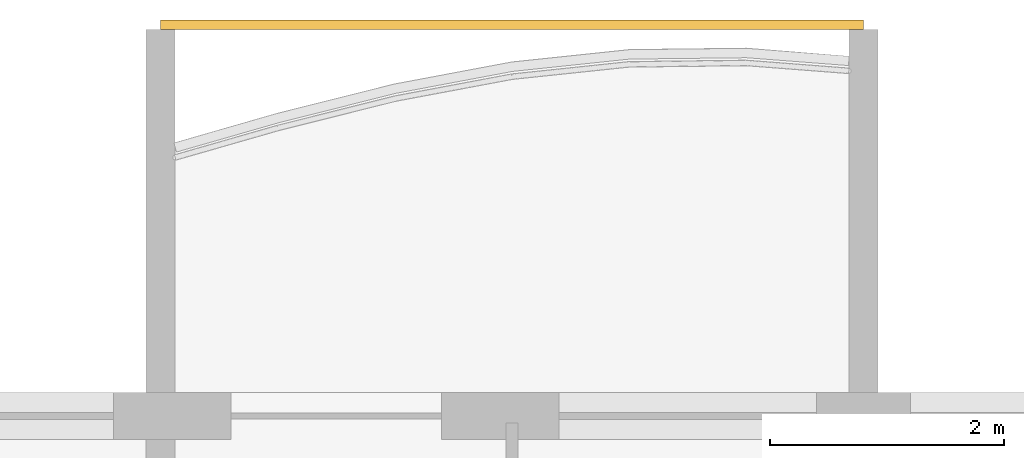
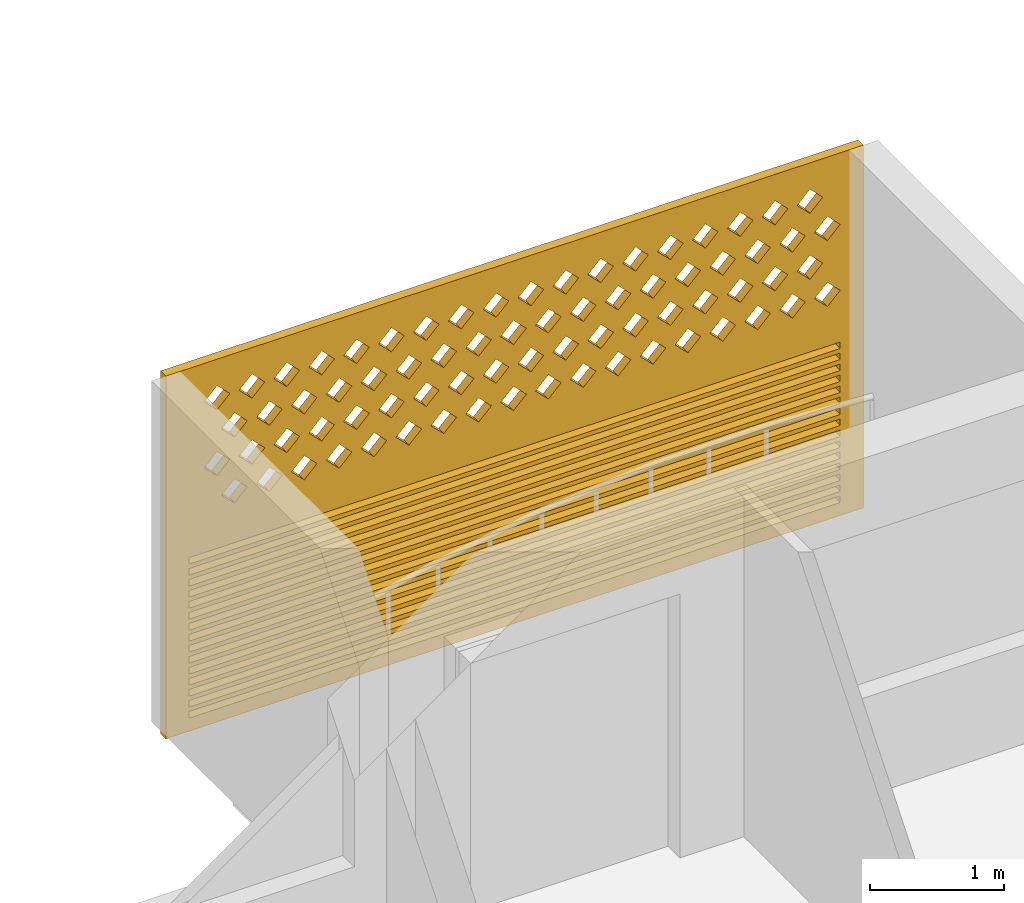
# One storey, part 18 of 26: 1 covering.
"""IFC4 building model written with IfcOpenShell, lengths in metres."""

from ifc_helpers import new_model, si_unit, direction, frame, origin, place, context, subcontext, project, spatial, polyline, outline, extrude, source, transform, mapped, material, material_profile, profile_set, type_object, element, save


model = new_model("IFC4")

# Units and contexts
model_context = context("Model", 3, precision=1e-05, world=origin(), true_north=direction((0.0, 1.0)))
body_context = subcontext(model_context, "Body", "Model", "MODEL_VIEW")
ifc_project = project(units=[si_unit("LENGTHUNIT", "METRE"), si_unit("AREAUNIT", "SQUARE_METRE"), si_unit("VOLUMEUNIT", "CUBIC_METRE"), si_unit("PLANEANGLEUNIT", "RADIAN"), si_unit("MASSUNIT", "GRAM", prefix="KILO")], contexts=[model_context])

# Site, building, storey
site_placement = place(None, origin())
site = spatial("IfcSite", under=ifc_project, at=site_placement, CompositionType="ELEMENT")
building_placement = place(site_placement, origin())
building = spatial("IfcBuilding", under=site, at=building_placement, Name="Poui Terraces", CompositionType="ELEMENT")
storey_placement = place(building_placement, frame((0.0, 0.0, 241.199951171875)))
storey = spatial("IfcBuildingStorey", under=building, at=storey_placement, Name="L67", CompositionType="ELEMENT", Elevation=241.199951171875)

# Covering
ifc_material = material(Name="Terracotta screen", Category="masonry")
ifc_material_profile = material_profile(ifc_material, outline(polyline([(-3.0, -1.64990234375), (3.0, -1.64990234375), (3.0, 1.64990234375), (-3.0, 1.64990234375), (-3.0, -1.64990234375)]), holes=[polyline([(-2.800048828125, 0.39990234375), (-2.68994140625, 0.2900390625), (-2.580078125, 0.39990234375), (-2.68994140625, 0.510009765625), (-2.800048828125, 0.39990234375)]), polyline([(-2.5, 0.39990234375), (-2.389892578125, 0.2900390625), (-2.280029296875, 0.39990234375), (-2.389892578125, 0.510009765625), (-2.5, 0.39990234375)]), polyline([(-2.199951171875, 0.39990234375), (-2.090087890625, 0.2900390625), (-1.97998046875, 0.39990234375), (-2.090087890625, 0.510009765625), (-2.199951171875, 0.39990234375)]), polyline([(-1.89990234375, 0.39990234375), (-1.7900390625, 0.2900390625), (-1.679931640625, 0.39990234375), (-1.7900390625, 0.510009765625), (-1.89990234375, 0.39990234375)]), polyline([(-1.60009765625, 0.39990234375), (-1.489990234375, 0.2900390625), (-1.3798828125, 0.39990234375), (-1.489990234375, 0.510009765625), (-1.60009765625, 0.39990234375)]), polyline([(-1.300048828125, 0.39990234375), (-1.18994140625, 0.2900390625), (-1.080078125, 0.39990234375), (-1.18994140625, 0.510009765625), (-1.300048828125, 0.39990234375)]), polyline([(-1.0, 0.39990234375), (-0.889892578125, 0.2900390625), (-0.780029296875, 0.39990234375), (-0.889892578125, 0.510009765625), (-1.0, 0.39990234375)]), polyline([(-0.699951171875, 0.39990234375), (-0.590087890625, 0.2900390625), (-0.47998046875, 0.39990234375), (-0.590087890625, 0.510009765625), (-0.699951171875, 0.39990234375)]), polyline([(-0.39990234375, 0.39990234375), (-0.2900390625, 0.2900390625), (-0.179931640625, 0.39990234375), (-0.2900390625, 0.510009765625), (-0.39990234375, 0.39990234375)]), polyline([(-0.10009765625, 0.39990234375), (0.010009765625, 0.2900390625), (0.1201171875, 0.39990234375), (0.010009765625, 0.510009765625), (-0.10009765625, 0.39990234375)]), polyline([(0.199951171875, 0.39990234375), (0.31005859375, 0.2900390625), (0.419921875, 0.39990234375), (0.31005859375, 0.510009765625), (0.199951171875, 0.39990234375)]), polyline([(0.5, 0.39990234375), (0.610107421875, 0.2900390625), (0.719970703125, 0.39990234375), (0.610107421875, 0.510009765625), (0.5, 0.39990234375)]), polyline([(0.800048828125, 0.39990234375), (0.909912109375, 0.2900390625), (1.02001953125, 0.39990234375), (0.909912109375, 0.510009765625), (0.800048828125, 0.39990234375)]), polyline([(1.10009765625, 0.39990234375), (1.2099609375, 0.2900390625), (1.320068359375, 0.39990234375), (1.2099609375, 0.510009765625), (1.10009765625, 0.39990234375)]), polyline([(1.39990234375, 0.39990234375), (1.510009765625, 0.2900390625), (1.6201171875, 0.39990234375), (1.510009765625, 0.510009765625), (1.39990234375, 0.39990234375)]), polyline([(1.699951171875, 0.39990234375), (1.81005859375, 0.2900390625), (1.919921875, 0.39990234375), (1.81005859375, 0.510009765625), (1.699951171875, 0.39990234375)]), polyline([(2.0, 0.39990234375), (2.110107421875, 0.2900390625), (2.219970703125, 0.39990234375), (2.110107421875, 0.510009765625), (2.0, 0.39990234375)]), polyline([(2.300048828125, 0.39990234375), (2.409912109375, 0.2900390625), (2.52001953125, 0.39990234375), (2.409912109375, 0.510009765625), (2.300048828125, 0.39990234375)]), polyline([(-2.64990234375, 0.699951171875), (-2.5400390625, 0.590087890625), (-2.429931640625, 0.699951171875), (-2.5400390625, 0.81005859375), (-2.64990234375, 0.699951171875)]), polyline([(-2.35009765625, 0.699951171875), (-2.239990234375, 0.590087890625), (-2.1298828125, 0.699951171875), (-2.239990234375, 0.81005859375), (-2.35009765625, 0.699951171875)]), polyline([(-2.050048828125, 0.699951171875), (-1.93994140625, 0.590087890625), (-1.830078125, 0.699951171875), (-1.93994140625, 0.81005859375), (-2.050048828125, 0.699951171875)]), polyline([(-1.75, 0.699951171875), (-1.639892578125, 0.590087890625), (-1.530029296875, 0.699951171875), (-1.639892578125, 0.81005859375), (-1.75, 0.699951171875)]), polyline([(-1.449951171875, 0.699951171875), (-1.340087890625, 0.590087890625), (-1.22998046875, 0.699951171875), (-1.340087890625, 0.81005859375), (-1.449951171875, 0.699951171875)]), polyline([(-1.14990234375, 0.699951171875), (-1.0400390625, 0.590087890625), (-0.929931640625, 0.699951171875), (-1.0400390625, 0.81005859375), (-1.14990234375, 0.699951171875)]), polyline([(-0.85009765625, 0.699951171875), (-0.739990234375, 0.590087890625), (-0.6298828125, 0.699951171875), (-0.739990234375, 0.81005859375), (-0.85009765625, 0.699951171875)]), polyline([(-0.550048828125, 0.699951171875), (-0.43994140625, 0.590087890625), (-0.330078125, 0.699951171875), (-0.43994140625, 0.81005859375), (-0.550048828125, 0.699951171875)]), polyline([(-0.25, 0.699951171875), (-0.139892578125, 0.590087890625), (-0.030029296875, 0.699951171875), (-0.139892578125, 0.81005859375), (-0.25, 0.699951171875)]), polyline([(0.050048828125, 0.699951171875), (0.159912109375, 0.590087890625), (0.27001953125, 0.699951171875), (0.159912109375, 0.81005859375), (0.050048828125, 0.699951171875)]), polyline([(0.35009765625, 0.699951171875), (0.4599609375, 0.590087890625), (0.570068359375, 0.699951171875), (0.4599609375, 0.81005859375), (0.35009765625, 0.699951171875)]), polyline([(0.64990234375, 0.699951171875), (0.760009765625, 0.590087890625), (0.8701171875, 0.699951171875), (0.760009765625, 0.81005859375), (0.64990234375, 0.699951171875)]), polyline([(0.949951171875, 0.699951171875), (1.06005859375, 0.590087890625), (1.169921875, 0.699951171875), (1.06005859375, 0.81005859375), (0.949951171875, 0.699951171875)]), polyline([(1.25, 0.699951171875), (1.360107421875, 0.590087890625), (1.469970703125, 0.699951171875), (1.360107421875, 0.81005859375), (1.25, 0.699951171875)]), polyline([(1.550048828125, 0.699951171875), (1.659912109375, 0.590087890625), (1.77001953125, 0.699951171875), (1.659912109375, 0.81005859375), (1.550048828125, 0.699951171875)]), polyline([(1.85009765625, 0.699951171875), (1.9599609375, 0.590087890625), (2.070068359375, 0.699951171875), (1.9599609375, 0.81005859375), (1.85009765625, 0.699951171875)]), polyline([(2.14990234375, 0.699951171875), (2.260009765625, 0.590087890625), (2.3701171875, 0.699951171875), (2.260009765625, 0.81005859375), (2.14990234375, 0.699951171875)]), polyline([(2.449951171875, 0.699951171875), (2.56005859375, 0.590087890625), (2.669921875, 0.699951171875), (2.56005859375, 0.81005859375), (2.449951171875, 0.699951171875)]), polyline([(-2.800048828125, 1.0), (-2.68994140625, 0.889892578125), (-2.580078125, 1.0), (-2.68994140625, 1.110107421875), (-2.800048828125, 1.0)]), polyline([(-2.5, 1.0), (-2.389892578125, 0.889892578125), (-2.280029296875, 1.0), (-2.389892578125, 1.110107421875), (-2.5, 1.0)]), polyline([(-2.199951171875, 1.0), (-2.090087890625, 0.889892578125), (-1.97998046875, 1.0), (-2.090087890625, 1.110107421875), (-2.199951171875, 1.0)]), polyline([(-1.89990234375, 1.0), (-1.7900390625, 0.889892578125), (-1.679931640625, 1.0), (-1.7900390625, 1.110107421875), (-1.89990234375, 1.0)]), polyline([(-1.60009765625, 1.0), (-1.489990234375, 0.889892578125), (-1.3798828125, 1.0), (-1.489990234375, 1.110107421875), (-1.60009765625, 1.0)]), polyline([(-1.300048828125, 1.0), (-1.18994140625, 0.889892578125), (-1.080078125, 1.0), (-1.18994140625, 1.110107421875), (-1.300048828125, 1.0)]), polyline([(-1.0, 1.0), (-0.889892578125, 0.889892578125), (-0.780029296875, 1.0), (-0.889892578125, 1.110107421875), (-1.0, 1.0)]), polyline([(-0.699951171875, 1.0), (-0.590087890625, 0.889892578125), (-0.47998046875, 1.0), (-0.590087890625, 1.110107421875), (-0.699951171875, 1.0)]), polyline([(-0.39990234375, 1.0), (-0.2900390625, 0.889892578125), (-0.179931640625, 1.0), (-0.2900390625, 1.110107421875), (-0.39990234375, 1.0)]), polyline([(-0.10009765625, 1.0), (0.010009765625, 0.889892578125), (0.1201171875, 1.0), (0.010009765625, 1.110107421875), (-0.10009765625, 1.0)]), polyline([(0.199951171875, 1.0), (0.31005859375, 0.889892578125), (0.419921875, 1.0), (0.31005859375, 1.110107421875), (0.199951171875, 1.0)]), polyline([(0.5, 1.0), (0.610107421875, 0.889892578125), (0.719970703125, 1.0), (0.610107421875, 1.110107421875), (0.5, 1.0)]), polyline([(0.800048828125, 1.0), (0.909912109375, 0.889892578125), (1.02001953125, 1.0), (0.909912109375, 1.110107421875), (0.800048828125, 1.0)]), polyline([(1.10009765625, 1.0), (1.2099609375, 0.889892578125), (1.320068359375, 1.0), (1.2099609375, 1.110107421875), (1.10009765625, 1.0)]), polyline([(1.39990234375, 1.0), (1.510009765625, 0.889892578125), (1.6201171875, 1.0), (1.510009765625, 1.110107421875), (1.39990234375, 1.0)]), polyline([(1.699951171875, 1.0), (1.81005859375, 0.889892578125), (1.919921875, 1.0), (1.81005859375, 1.110107421875), (1.699951171875, 1.0)]), polyline([(2.0, 1.0), (2.110107421875, 0.889892578125), (2.219970703125, 1.0), (2.110107421875, 1.110107421875), (2.0, 1.0)]), polyline([(2.300048828125, 1.0), (2.409912109375, 0.889892578125), (2.52001953125, 1.0), (2.409912109375, 1.110107421875), (2.300048828125, 1.0)]), polyline([(-2.64990234375, 1.300048828125), (-2.5400390625, 1.18994140625), (-2.429931640625, 1.300048828125), (-2.5400390625, 1.409912109375), (-2.64990234375, 1.300048828125)]), polyline([(-2.35009765625, 1.300048828125), (-2.239990234375, 1.18994140625), (-2.1298828125, 1.300048828125), (-2.239990234375, 1.409912109375), (-2.35009765625, 1.300048828125)]), polyline([(-2.050048828125, 1.300048828125), (-1.93994140625, 1.18994140625), (-1.830078125, 1.300048828125), (-1.93994140625, 1.409912109375), (-2.050048828125, 1.300048828125)]), polyline([(-1.75, 1.300048828125), (-1.639892578125, 1.18994140625), (-1.530029296875, 1.300048828125), (-1.639892578125, 1.409912109375), (-1.75, 1.300048828125)]), polyline([(-1.449951171875, 1.300048828125), (-1.340087890625, 1.18994140625), (-1.22998046875, 1.300048828125), (-1.340087890625, 1.409912109375), (-1.449951171875, 1.300048828125)]), polyline([(-1.14990234375, 1.300048828125), (-1.0400390625, 1.18994140625), (-0.929931640625, 1.300048828125), (-1.0400390625, 1.409912109375), (-1.14990234375, 1.300048828125)]), polyline([(-0.85009765625, 1.300048828125), (-0.739990234375, 1.18994140625), (-0.6298828125, 1.300048828125), (-0.739990234375, 1.409912109375), (-0.85009765625, 1.300048828125)]), polyline([(-0.550048828125, 1.300048828125), (-0.43994140625, 1.18994140625), (-0.330078125, 1.300048828125), (-0.43994140625, 1.409912109375), (-0.550048828125, 1.300048828125)]), polyline([(-0.25, 1.300048828125), (-0.139892578125, 1.18994140625), (-0.030029296875, 1.300048828125), (-0.139892578125, 1.409912109375), (-0.25, 1.300048828125)]), polyline([(0.050048828125, 1.300048828125), (0.159912109375, 1.18994140625), (0.27001953125, 1.300048828125), (0.159912109375, 1.409912109375), (0.050048828125, 1.300048828125)]), polyline([(0.35009765625, 1.300048828125), (0.4599609375, 1.18994140625), (0.570068359375, 1.300048828125), (0.4599609375, 1.409912109375), (0.35009765625, 1.300048828125)]), polyline([(0.64990234375, 1.300048828125), (0.760009765625, 1.18994140625), (0.8701171875, 1.300048828125), (0.760009765625, 1.409912109375), (0.64990234375, 1.300048828125)]), polyline([(0.949951171875, 1.300048828125), (1.06005859375, 1.18994140625), (1.169921875, 1.300048828125), (1.06005859375, 1.409912109375), (0.949951171875, 1.300048828125)]), polyline([(1.25, 1.300048828125), (1.360107421875, 1.18994140625), (1.469970703125, 1.300048828125), (1.360107421875, 1.409912109375), (1.25, 1.300048828125)]), polyline([(1.550048828125, 1.300048828125), (1.659912109375, 1.18994140625), (1.77001953125, 1.300048828125), (1.659912109375, 1.409912109375), (1.550048828125, 1.300048828125)]), polyline([(1.85009765625, 1.300048828125), (1.9599609375, 1.18994140625), (2.070068359375, 1.300048828125), (1.9599609375, 1.409912109375), (1.85009765625, 1.300048828125)]), polyline([(2.14990234375, 1.300048828125), (2.260009765625, 1.18994140625), (2.3701171875, 1.300048828125), (2.260009765625, 1.409912109375), (2.14990234375, 1.300048828125)]), polyline([(2.449951171875, 1.300048828125), (2.56005859375, 1.18994140625), (2.669921875, 1.300048828125), (2.56005859375, 1.409912109375), (2.449951171875, 1.300048828125)]), polyline([(-2.800048828125, -1.530029296875), (2.800048828125, -1.530029296875), (2.800048828125, -1.469970703125), (-2.800048828125, -1.469970703125), (-2.800048828125, -1.530029296875)]), polyline([(-2.800048828125, -1.429931640625), (2.800048828125, -1.429931640625), (2.800048828125, -1.3701171875), (-2.800048828125, -1.3701171875), (-2.800048828125, -1.429931640625)]), polyline([(-2.800048828125, -1.330078125), (2.800048828125, -1.330078125), (2.800048828125, -1.27001953125), (-2.800048828125, -1.27001953125), (-2.800048828125, -1.330078125)]), polyline([(-2.800048828125, -1.22998046875), (2.800048828125, -1.22998046875), (2.800048828125, -1.169921875), (-2.800048828125, -1.169921875), (-2.800048828125, -1.22998046875)]), polyline([(-2.800048828125, -1.1298828125), (2.800048828125, -1.1298828125), (2.800048828125, -1.070068359375), (-2.800048828125, -1.070068359375), (-2.800048828125, -1.1298828125)]), polyline([(-2.800048828125, -1.030029296875), (2.800048828125, -1.030029296875), (2.800048828125, -0.969970703125), (-2.800048828125, -0.969970703125), (-2.800048828125, -1.030029296875)]), polyline([(-2.800048828125, -0.929931640625), (2.800048828125, -0.929931640625), (2.800048828125, -0.8701171875), (-2.800048828125, -0.8701171875), (-2.800048828125, -0.929931640625)]), polyline([(-2.800048828125, -0.830078125), (2.800048828125, -0.830078125), (2.800048828125, -0.77001953125), (-2.800048828125, -0.77001953125), (-2.800048828125, -0.830078125)]), polyline([(-2.800048828125, -0.72998046875), (2.800048828125, -0.72998046875), (2.800048828125, -0.669921875), (-2.800048828125, -0.669921875), (-2.800048828125, -0.72998046875)]), polyline([(-2.800048828125, -0.6298828125), (2.800048828125, -0.6298828125), (2.800048828125, -0.570068359375), (-2.800048828125, -0.570068359375), (-2.800048828125, -0.6298828125)]), polyline([(-2.800048828125, -0.530029296875), (2.800048828125, -0.530029296875), (2.800048828125, -0.469970703125), (-2.800048828125, -0.469970703125), (-2.800048828125, -0.530029296875)]), polyline([(-2.800048828125, -0.429931640625), (2.800048828125, -0.429931640625), (2.800048828125, -0.3701171875), (-2.800048828125, -0.3701171875), (-2.800048828125, -0.429931640625)]), polyline([(-2.800048828125, -0.330078125), (2.800048828125, -0.330078125), (2.800048828125, -0.27001953125), (-2.800048828125, -0.27001953125), (-2.800048828125, -0.330078125)]), polyline([(-2.800048828125, -0.22998046875), (2.800048828125, -0.22998046875), (2.800048828125, -0.169921875), (-2.800048828125, -0.169921875), (-2.800048828125, -0.22998046875)]), polyline([(-2.800048828125, -0.1298828125), (2.800048828125, -0.1298828125), (2.800048828125, -0.070068359375), (-2.800048828125, -0.070068359375), (-2.800048828125, -0.1298828125)])]), Name="TERRACOTTA SCREEN AND JALOUSIE LOUVRE 6000X3300")
ifc_profile_set = profile_set([ifc_material_profile], Name="Terracotta screen")
covering_type = type_object("IfcCoveringType", Name="TERRACOTTA SCREEN AND JALOUSIE LOUVRE 6000X3300", PredefinedType="CLADDING", material=ifc_profile_set)
shared_shape = source(origin(), body_context, "Body", "SweptSolid", [
    extrude(outline(polyline([(-3.0, -1.64990234375), (3.0, -1.64990234375), (3.0, 1.64990234375), (-3.0, 1.64990234375), (-3.0, -1.64990234375)]), holes=[polyline([(-2.800048828125, 0.39990234375), (-2.68994140625, 0.2900390625), (-2.580078125, 0.39990234375), (-2.68994140625, 0.510009765625), (-2.800048828125, 0.39990234375)]), polyline([(-2.5, 0.39990234375), (-2.389892578125, 0.2900390625), (-2.280029296875, 0.39990234375), (-2.389892578125, 0.510009765625), (-2.5, 0.39990234375)]), polyline([(-2.199951171875, 0.39990234375), (-2.090087890625, 0.2900390625), (-1.97998046875, 0.39990234375), (-2.090087890625, 0.510009765625), (-2.199951171875, 0.39990234375)]), polyline([(-1.89990234375, 0.39990234375), (-1.7900390625, 0.2900390625), (-1.679931640625, 0.39990234375), (-1.7900390625, 0.510009765625), (-1.89990234375, 0.39990234375)]), polyline([(-1.60009765625, 0.39990234375), (-1.489990234375, 0.2900390625), (-1.3798828125, 0.39990234375), (-1.489990234375, 0.510009765625), (-1.60009765625, 0.39990234375)]), polyline([(-1.300048828125, 0.39990234375), (-1.18994140625, 0.2900390625), (-1.080078125, 0.39990234375), (-1.18994140625, 0.510009765625), (-1.300048828125, 0.39990234375)]), polyline([(-1.0, 0.39990234375), (-0.889892578125, 0.2900390625), (-0.780029296875, 0.39990234375), (-0.889892578125, 0.510009765625), (-1.0, 0.39990234375)]), polyline([(-0.699951171875, 0.39990234375), (-0.590087890625, 0.2900390625), (-0.47998046875, 0.39990234375), (-0.590087890625, 0.510009765625), (-0.699951171875, 0.39990234375)]), polyline([(-0.39990234375, 0.39990234375), (-0.2900390625, 0.2900390625), (-0.179931640625, 0.39990234375), (-0.2900390625, 0.510009765625), (-0.39990234375, 0.39990234375)]), polyline([(-0.10009765625, 0.39990234375), (0.010009765625, 0.2900390625), (0.1201171875, 0.39990234375), (0.010009765625, 0.510009765625), (-0.10009765625, 0.39990234375)]), polyline([(0.199951171875, 0.39990234375), (0.31005859375, 0.2900390625), (0.419921875, 0.39990234375), (0.31005859375, 0.510009765625), (0.199951171875, 0.39990234375)]), polyline([(0.5, 0.39990234375), (0.610107421875, 0.2900390625), (0.719970703125, 0.39990234375), (0.610107421875, 0.510009765625), (0.5, 0.39990234375)]), polyline([(0.800048828125, 0.39990234375), (0.909912109375, 0.2900390625), (1.02001953125, 0.39990234375), (0.909912109375, 0.510009765625), (0.800048828125, 0.39990234375)]), polyline([(1.10009765625, 0.39990234375), (1.2099609375, 0.2900390625), (1.320068359375, 0.39990234375), (1.2099609375, 0.510009765625), (1.10009765625, 0.39990234375)]), polyline([(1.39990234375, 0.39990234375), (1.510009765625, 0.2900390625), (1.6201171875, 0.39990234375), (1.510009765625, 0.510009765625), (1.39990234375, 0.39990234375)]), polyline([(1.699951171875, 0.39990234375), (1.81005859375, 0.2900390625), (1.919921875, 0.39990234375), (1.81005859375, 0.510009765625), (1.699951171875, 0.39990234375)]), polyline([(2.0, 0.39990234375), (2.110107421875, 0.2900390625), (2.219970703125, 0.39990234375), (2.110107421875, 0.510009765625), (2.0, 0.39990234375)]), polyline([(2.300048828125, 0.39990234375), (2.409912109375, 0.2900390625), (2.52001953125, 0.39990234375), (2.409912109375, 0.510009765625), (2.300048828125, 0.39990234375)]), polyline([(-2.64990234375, 0.699951171875), (-2.5400390625, 0.590087890625), (-2.429931640625, 0.699951171875), (-2.5400390625, 0.81005859375), (-2.64990234375, 0.699951171875)]), polyline([(-2.35009765625, 0.699951171875), (-2.239990234375, 0.590087890625), (-2.1298828125, 0.699951171875), (-2.239990234375, 0.81005859375), (-2.35009765625, 0.699951171875)]), polyline([(-2.050048828125, 0.699951171875), (-1.93994140625, 0.590087890625), (-1.830078125, 0.699951171875), (-1.93994140625, 0.81005859375), (-2.050048828125, 0.699951171875)]), polyline([(-1.75, 0.699951171875), (-1.639892578125, 0.590087890625), (-1.530029296875, 0.699951171875), (-1.639892578125, 0.81005859375), (-1.75, 0.699951171875)]), polyline([(-1.449951171875, 0.699951171875), (-1.340087890625, 0.590087890625), (-1.22998046875, 0.699951171875), (-1.340087890625, 0.81005859375), (-1.449951171875, 0.699951171875)]), polyline([(-1.14990234375, 0.699951171875), (-1.0400390625, 0.590087890625), (-0.929931640625, 0.699951171875), (-1.0400390625, 0.81005859375), (-1.14990234375, 0.699951171875)]), polyline([(-0.85009765625, 0.699951171875), (-0.739990234375, 0.590087890625), (-0.6298828125, 0.699951171875), (-0.739990234375, 0.81005859375), (-0.85009765625, 0.699951171875)]), polyline([(-0.550048828125, 0.699951171875), (-0.43994140625, 0.590087890625), (-0.330078125, 0.699951171875), (-0.43994140625, 0.81005859375), (-0.550048828125, 0.699951171875)]), polyline([(-0.25, 0.699951171875), (-0.139892578125, 0.590087890625), (-0.030029296875, 0.699951171875), (-0.139892578125, 0.81005859375), (-0.25, 0.699951171875)]), polyline([(0.050048828125, 0.699951171875), (0.159912109375, 0.590087890625), (0.27001953125, 0.699951171875), (0.159912109375, 0.81005859375), (0.050048828125, 0.699951171875)]), polyline([(0.35009765625, 0.699951171875), (0.4599609375, 0.590087890625), (0.570068359375, 0.699951171875), (0.4599609375, 0.81005859375), (0.35009765625, 0.699951171875)]), polyline([(0.64990234375, 0.699951171875), (0.760009765625, 0.590087890625), (0.8701171875, 0.699951171875), (0.760009765625, 0.81005859375), (0.64990234375, 0.699951171875)]), polyline([(0.949951171875, 0.699951171875), (1.06005859375, 0.590087890625), (1.169921875, 0.699951171875), (1.06005859375, 0.81005859375), (0.949951171875, 0.699951171875)]), polyline([(1.25, 0.699951171875), (1.360107421875, 0.590087890625), (1.469970703125, 0.699951171875), (1.360107421875, 0.81005859375), (1.25, 0.699951171875)]), polyline([(1.550048828125, 0.699951171875), (1.659912109375, 0.590087890625), (1.77001953125, 0.699951171875), (1.659912109375, 0.81005859375), (1.550048828125, 0.699951171875)]), polyline([(1.85009765625, 0.699951171875), (1.9599609375, 0.590087890625), (2.070068359375, 0.699951171875), (1.9599609375, 0.81005859375), (1.85009765625, 0.699951171875)]), polyline([(2.14990234375, 0.699951171875), (2.260009765625, 0.590087890625), (2.3701171875, 0.699951171875), (2.260009765625, 0.81005859375), (2.14990234375, 0.699951171875)]), polyline([(2.449951171875, 0.699951171875), (2.56005859375, 0.590087890625), (2.669921875, 0.699951171875), (2.56005859375, 0.81005859375), (2.449951171875, 0.699951171875)]), polyline([(-2.800048828125, 1.0), (-2.68994140625, 0.889892578125), (-2.580078125, 1.0), (-2.68994140625, 1.110107421875), (-2.800048828125, 1.0)]), polyline([(-2.5, 1.0), (-2.389892578125, 0.889892578125), (-2.280029296875, 1.0), (-2.389892578125, 1.110107421875), (-2.5, 1.0)]), polyline([(-2.199951171875, 1.0), (-2.090087890625, 0.889892578125), (-1.97998046875, 1.0), (-2.090087890625, 1.110107421875), (-2.199951171875, 1.0)]), polyline([(-1.89990234375, 1.0), (-1.7900390625, 0.889892578125), (-1.679931640625, 1.0), (-1.7900390625, 1.110107421875), (-1.89990234375, 1.0)]), polyline([(-1.60009765625, 1.0), (-1.489990234375, 0.889892578125), (-1.3798828125, 1.0), (-1.489990234375, 1.110107421875), (-1.60009765625, 1.0)]), polyline([(-1.300048828125, 1.0), (-1.18994140625, 0.889892578125), (-1.080078125, 1.0), (-1.18994140625, 1.110107421875), (-1.300048828125, 1.0)]), polyline([(-1.0, 1.0), (-0.889892578125, 0.889892578125), (-0.780029296875, 1.0), (-0.889892578125, 1.110107421875), (-1.0, 1.0)]), polyline([(-0.699951171875, 1.0), (-0.590087890625, 0.889892578125), (-0.47998046875, 1.0), (-0.590087890625, 1.110107421875), (-0.699951171875, 1.0)]), polyline([(-0.39990234375, 1.0), (-0.2900390625, 0.889892578125), (-0.179931640625, 1.0), (-0.2900390625, 1.110107421875), (-0.39990234375, 1.0)]), polyline([(-0.10009765625, 1.0), (0.010009765625, 0.889892578125), (0.1201171875, 1.0), (0.010009765625, 1.110107421875), (-0.10009765625, 1.0)]), polyline([(0.199951171875, 1.0), (0.31005859375, 0.889892578125), (0.419921875, 1.0), (0.31005859375, 1.110107421875), (0.199951171875, 1.0)]), polyline([(0.5, 1.0), (0.610107421875, 0.889892578125), (0.719970703125, 1.0), (0.610107421875, 1.110107421875), (0.5, 1.0)]), polyline([(0.800048828125, 1.0), (0.909912109375, 0.889892578125), (1.02001953125, 1.0), (0.909912109375, 1.110107421875), (0.800048828125, 1.0)]), polyline([(1.10009765625, 1.0), (1.2099609375, 0.889892578125), (1.320068359375, 1.0), (1.2099609375, 1.110107421875), (1.10009765625, 1.0)]), polyline([(1.39990234375, 1.0), (1.510009765625, 0.889892578125), (1.6201171875, 1.0), (1.510009765625, 1.110107421875), (1.39990234375, 1.0)]), polyline([(1.699951171875, 1.0), (1.81005859375, 0.889892578125), (1.919921875, 1.0), (1.81005859375, 1.110107421875), (1.699951171875, 1.0)]), polyline([(2.0, 1.0), (2.110107421875, 0.889892578125), (2.219970703125, 1.0), (2.110107421875, 1.110107421875), (2.0, 1.0)]), polyline([(2.300048828125, 1.0), (2.409912109375, 0.889892578125), (2.52001953125, 1.0), (2.409912109375, 1.110107421875), (2.300048828125, 1.0)]), polyline([(-2.64990234375, 1.300048828125), (-2.5400390625, 1.18994140625), (-2.429931640625, 1.300048828125), (-2.5400390625, 1.409912109375), (-2.64990234375, 1.300048828125)]), polyline([(-2.35009765625, 1.300048828125), (-2.239990234375, 1.18994140625), (-2.1298828125, 1.300048828125), (-2.239990234375, 1.409912109375), (-2.35009765625, 1.300048828125)]), polyline([(-2.050048828125, 1.300048828125), (-1.93994140625, 1.18994140625), (-1.830078125, 1.300048828125), (-1.93994140625, 1.409912109375), (-2.050048828125, 1.300048828125)]), polyline([(-1.75, 1.300048828125), (-1.639892578125, 1.18994140625), (-1.530029296875, 1.300048828125), (-1.639892578125, 1.409912109375), (-1.75, 1.300048828125)]), polyline([(-1.449951171875, 1.300048828125), (-1.340087890625, 1.18994140625), (-1.22998046875, 1.300048828125), (-1.340087890625, 1.409912109375), (-1.449951171875, 1.300048828125)]), polyline([(-1.14990234375, 1.300048828125), (-1.0400390625, 1.18994140625), (-0.929931640625, 1.300048828125), (-1.0400390625, 1.409912109375), (-1.14990234375, 1.300048828125)]), polyline([(-0.85009765625, 1.300048828125), (-0.739990234375, 1.18994140625), (-0.6298828125, 1.300048828125), (-0.739990234375, 1.409912109375), (-0.85009765625, 1.300048828125)]), polyline([(-0.550048828125, 1.300048828125), (-0.43994140625, 1.18994140625), (-0.330078125, 1.300048828125), (-0.43994140625, 1.409912109375), (-0.550048828125, 1.300048828125)]), polyline([(-0.25, 1.300048828125), (-0.139892578125, 1.18994140625), (-0.030029296875, 1.300048828125), (-0.139892578125, 1.409912109375), (-0.25, 1.300048828125)]), polyline([(0.050048828125, 1.300048828125), (0.159912109375, 1.18994140625), (0.27001953125, 1.300048828125), (0.159912109375, 1.409912109375), (0.050048828125, 1.300048828125)]), polyline([(0.35009765625, 1.300048828125), (0.4599609375, 1.18994140625), (0.570068359375, 1.300048828125), (0.4599609375, 1.409912109375), (0.35009765625, 1.300048828125)]), polyline([(0.64990234375, 1.300048828125), (0.760009765625, 1.18994140625), (0.8701171875, 1.300048828125), (0.760009765625, 1.409912109375), (0.64990234375, 1.300048828125)]), polyline([(0.949951171875, 1.300048828125), (1.06005859375, 1.18994140625), (1.169921875, 1.300048828125), (1.06005859375, 1.409912109375), (0.949951171875, 1.300048828125)]), polyline([(1.25, 1.300048828125), (1.360107421875, 1.18994140625), (1.469970703125, 1.300048828125), (1.360107421875, 1.409912109375), (1.25, 1.300048828125)]), polyline([(1.550048828125, 1.300048828125), (1.659912109375, 1.18994140625), (1.77001953125, 1.300048828125), (1.659912109375, 1.409912109375), (1.550048828125, 1.300048828125)]), polyline([(1.85009765625, 1.300048828125), (1.9599609375, 1.18994140625), (2.070068359375, 1.300048828125), (1.9599609375, 1.409912109375), (1.85009765625, 1.300048828125)]), polyline([(2.14990234375, 1.300048828125), (2.260009765625, 1.18994140625), (2.3701171875, 1.300048828125), (2.260009765625, 1.409912109375), (2.14990234375, 1.300048828125)]), polyline([(2.449951171875, 1.300048828125), (2.56005859375, 1.18994140625), (2.669921875, 1.300048828125), (2.56005859375, 1.409912109375), (2.449951171875, 1.300048828125)]), polyline([(-2.800048828125, -1.530029296875), (2.800048828125, -1.530029296875), (2.800048828125, -1.469970703125), (-2.800048828125, -1.469970703125), (-2.800048828125, -1.530029296875)]), polyline([(-2.800048828125, -1.429931640625), (2.800048828125, -1.429931640625), (2.800048828125, -1.3701171875), (-2.800048828125, -1.3701171875), (-2.800048828125, -1.429931640625)]), polyline([(-2.800048828125, -1.330078125), (2.800048828125, -1.330078125), (2.800048828125, -1.27001953125), (-2.800048828125, -1.27001953125), (-2.800048828125, -1.330078125)]), polyline([(-2.800048828125, -1.22998046875), (2.800048828125, -1.22998046875), (2.800048828125, -1.169921875), (-2.800048828125, -1.169921875), (-2.800048828125, -1.22998046875)]), polyline([(-2.800048828125, -1.1298828125), (2.800048828125, -1.1298828125), (2.800048828125, -1.070068359375), (-2.800048828125, -1.070068359375), (-2.800048828125, -1.1298828125)]), polyline([(-2.800048828125, -1.030029296875), (2.800048828125, -1.030029296875), (2.800048828125, -0.969970703125), (-2.800048828125, -0.969970703125), (-2.800048828125, -1.030029296875)]), polyline([(-2.800048828125, -0.929931640625), (2.800048828125, -0.929931640625), (2.800048828125, -0.8701171875), (-2.800048828125, -0.8701171875), (-2.800048828125, -0.929931640625)]), polyline([(-2.800048828125, -0.830078125), (2.800048828125, -0.830078125), (2.800048828125, -0.77001953125), (-2.800048828125, -0.77001953125), (-2.800048828125, -0.830078125)]), polyline([(-2.800048828125, -0.72998046875), (2.800048828125, -0.72998046875), (2.800048828125, -0.669921875), (-2.800048828125, -0.669921875), (-2.800048828125, -0.72998046875)]), polyline([(-2.800048828125, -0.6298828125), (2.800048828125, -0.6298828125), (2.800048828125, -0.570068359375), (-2.800048828125, -0.570068359375), (-2.800048828125, -0.6298828125)]), polyline([(-2.800048828125, -0.530029296875), (2.800048828125, -0.530029296875), (2.800048828125, -0.469970703125), (-2.800048828125, -0.469970703125), (-2.800048828125, -0.530029296875)]), polyline([(-2.800048828125, -0.429931640625), (2.800048828125, -0.429931640625), (2.800048828125, -0.3701171875), (-2.800048828125, -0.3701171875), (-2.800048828125, -0.429931640625)]), polyline([(-2.800048828125, -0.330078125), (2.800048828125, -0.330078125), (2.800048828125, -0.27001953125), (-2.800048828125, -0.27001953125), (-2.800048828125, -0.330078125)]), polyline([(-2.800048828125, -0.22998046875), (2.800048828125, -0.22998046875), (2.800048828125, -0.169921875), (-2.800048828125, -0.169921875), (-2.800048828125, -0.22998046875)]), polyline([(-2.800048828125, -0.1298828125), (2.800048828125, -0.1298828125), (2.800048828125, -0.070068359375), (-2.800048828125, -0.070068359375), (-2.800048828125, -0.1298828125)])]), origin(), (0.0, 0.0, 1.0), 0.080078125),
])
covering_placement = place(storey_placement, frame((39.0, 44.5, 1.449951171875), z_axis=(0.0, 1.0, 0.0), x_axis=(-1.0, 0.0, 0.0)))
element("IfcCovering", 1, at=covering_placement, inside=storey, type_object=covering_type, Name="SOLAR SCREEN AND JALOUSIE LOUVRE", PredefinedType="CLADDING", context=body_context, shape_type="MappedRepresentation", body=[
    mapped(shared_shape, transform((0.0, 0.0, 0.0))),
])

save(model, "model.ifc")
